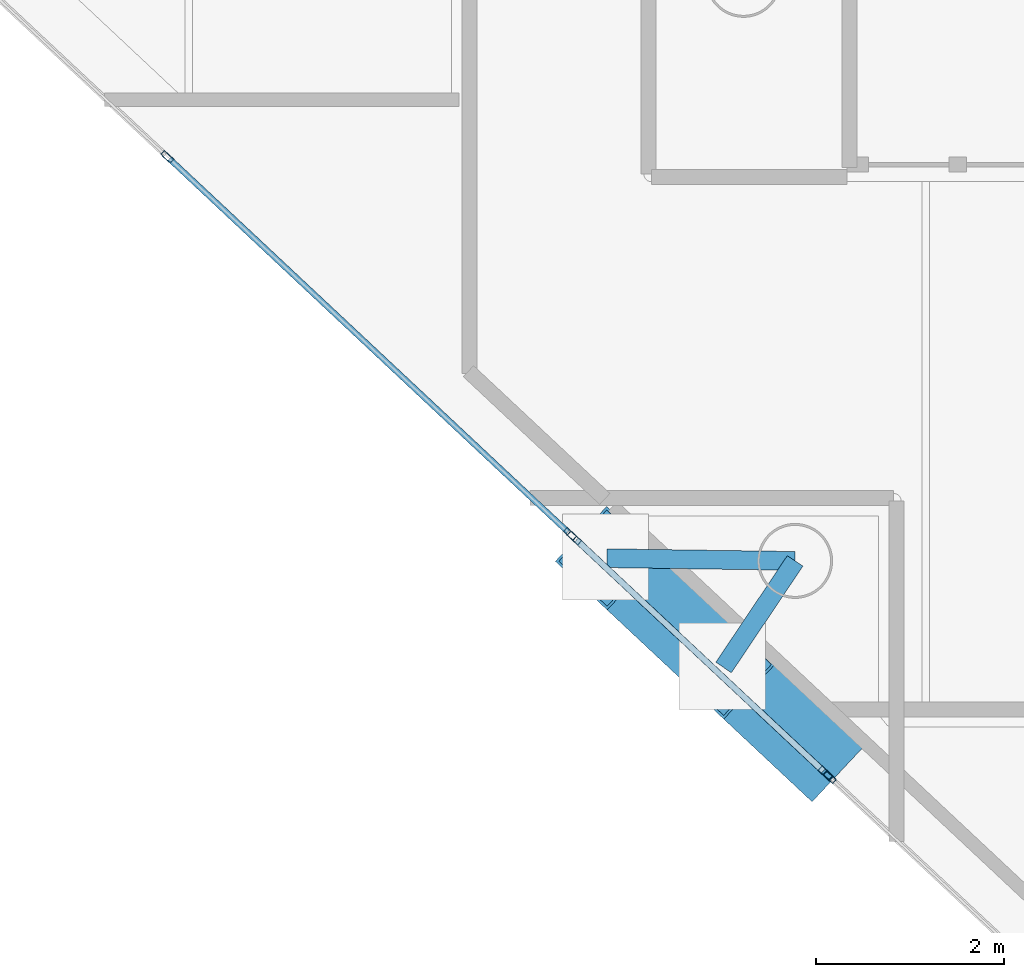
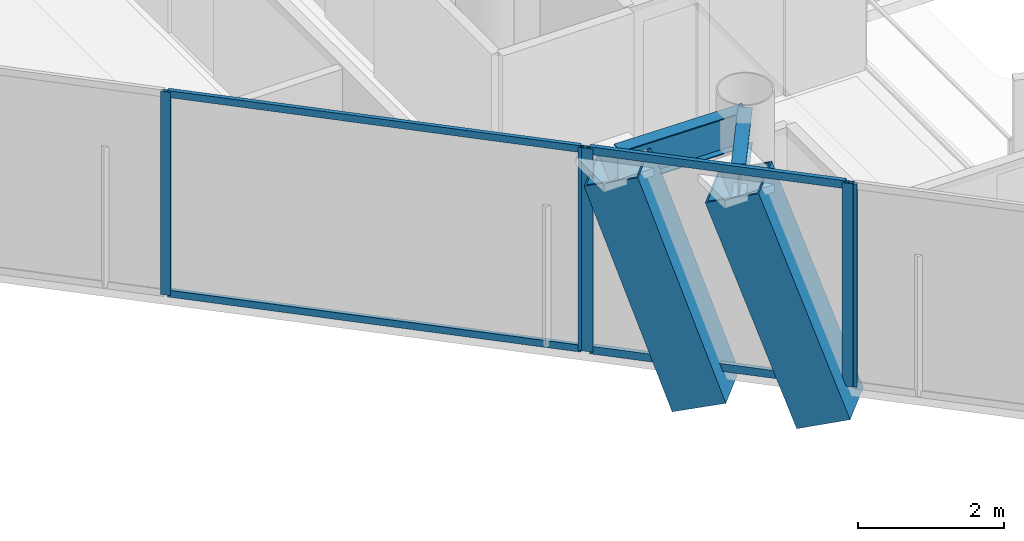
# One storey, part 3 of 18: 11 members, 2 beams, 3 elements without a shape of their own.
"""IFC4 building model written with IfcOpenShell, lengths in metres."""

from ifc_helpers import new_model, si_unit, direction, frame, origin, origin_2d, place, context, subcontext, project, spatial, hollow_rectangle, i_section, extrude, material, layer, layer_set, material_profile, profile_set, type_object, element, aggregate, save


model = new_model("IFC4")

# Units and contexts
model_context = context("Model", 3, precision=1e-05, world=origin(), true_north=direction((0.0, 1.0)))
body_context = subcontext(model_context, "Body", "Model", "MODEL_VIEW")
ifc_project = project(units=[si_unit("LENGTHUNIT", "METRE"), si_unit("AREAUNIT", "SQUARE_METRE"), si_unit("VOLUMEUNIT", "CUBIC_METRE"), si_unit("PLANEANGLEUNIT", "RADIAN"), si_unit("MASSUNIT", "GRAM", prefix="KILO")], contexts=[model_context])

# Site, building, storey
site_placement = place(None, origin())
site = spatial("IfcSite", under=ifc_project, at=site_placement, CompositionType="ELEMENT")
building_placement = place(site_placement, origin())
building = spatial("IfcBuilding", under=site, at=building_placement, Name="Qianvela Tower", CompositionType="ELEMENT")
storey_placement = place(building_placement, frame((0.0, 0.0, 348.10009765625)))
storey = spatial("IfcBuildingStorey", under=building, at=storey_placement, Name="L90", CompositionType="ELEMENT", Elevation=348.10009765625)

# Beams
ifc_material_1 = material(Name="Steel Q355B", Category="steel")
ifc_material_profile_1 = material_profile(ifc_material_1, i_section(OverallWidth=0.199951171875, OverallDepth=0.60009765625, WebThickness=0.010986328125, FlangeThickness=0.01708984375, at=origin_2d()), Name="HN600x200x11x17")
ifc_profile_set_1 = profile_set([ifc_material_profile_1], Name="Steel Q355B")
beam_type = type_object("IfcBeamType", Name="BM-HN600-GIRD", PredefinedType="BEAM", material=ifc_profile_set_1)
beam_1_placement = place(storey_placement, frame((29.14990234375, 17.662109375, 3.097900390625), z_axis=(-0.999896728514, 0.014371231908, 0.0), x_axis=(-0.014371231908, -0.999896728514, 0.0)))
element("IfcBeam", 1, at=beam_1_placement, inside=storey, type_object=beam_type, Name="L90 Mega-Brace Column Tie Bracket F2-1", PredefinedType="BEAM", context=body_context, shape_type="SweptSolid", body=[
    extrude(i_section(OverallWidth=0.199951171875, OverallDepth=0.60009765625, WebThickness=0.010986328125, FlangeThickness=0.01708984375, at=origin_2d()), origin(), (0.0, 0.0, 1.0), 2.004638671875),
])
beam_2_placement = place(storey_placement, frame((29.14990234375, 17.662109375, 3.097900390625), z_axis=(-0.557129868141, -0.830425378963, 0.0), x_axis=(0.830425378963, -0.557129868141, 0.0)))
element("IfcBeam", 2, at=beam_2_placement, inside=storey, type_object=beam_type, Name="L90 Mega-Brace Column Tie Bracket F2-2", PredefinedType="BEAM", context=body_context, shape_type="SweptSolid", body=[
    extrude(i_section(OverallWidth=0.199951171875, OverallDepth=0.60009765625, WebThickness=0.010986328125, FlangeThickness=0.01708984375, at=origin_2d()), origin(), (0.0, 0.0, 1.0), 1.36669921875),
])

# Curtain wall, members
ifc_material_2 = material(Name="Anodised Architectural Aluminium and Insulated Spandrel Panel", Category="aluminium")
ifc_layer_1 = layer(ifc_material_2, 0.179931640625)
ifc_layer_set_1 = layer_set([ifc_layer_1], Name="Anodised Architectural Aluminium and Insulated Spandrel Panel")
curtain_wall_type_1 = type_object("IfcCurtainWallType", Name="CW-BRACEBAY", PredefinedType="USERDEFINED", material=ifc_layer_set_1)
curtain_wall_1_placement = place(storey_placement, origin())
curtain_wall_1 = element("IfcCurtainWall", 3, at=curtain_wall_1_placement, inside=storey, type_object=curtain_wall_type_1, Name="L90 CW-BRACEBAY Curtain Wall 04B", ObjectType="CURTAIN_WALL_SYSTEM", PredefinedType="USERDEFINED")
ifc_material_3 = material(Name="Anodised Architectural Aluminium 6063-T6", Category="aluminium")
ifc_material_profile_2 = material_profile(ifc_material_3, hollow_rectangle(XDim=0.06494140625, YDim=0.159912109375, WallThickness=0.0048828125, at=origin_2d()), Name="ALU-MULL-65x160")
ifc_profile_set_2 = profile_set([ifc_material_profile_2], Name="Anodised Architectural Aluminium 6063-T6")
member_type_1 = type_object("IfcMemberType", Name="CW-BRACEBAY-MULL", PredefinedType="MULLION", material=ifc_profile_set_2)
member_1_placement = place(storey_placement, frame((26.798095703125, 17.90673828125, 0.0), z_axis=(0.0, 0.0, 1.0), x_axis=(0.683521865336, 0.729930037475, 0.0)))
member_1 = element("IfcMember", 4, at=member_1_placement, type_object=member_type_1, Name="CW-9 mullion 1", PredefinedType="MULLION", context=body_context, shape_type="SweptSolid", body=[
    extrude(hollow_rectangle(XDim=0.06494140625, YDim=0.159912109375, WallThickness=0.0048828125, at=origin_2d()), origin(), (0.0, 0.0, 1.0), 3.39990234375),
])
member_2_placement = place(storey_placement, frame((29.473388671875, 15.401611328125, 0.0), z_axis=(0.0, 0.0, 1.0), x_axis=(0.683521865336, 0.729930037475, 0.0)))
member_2 = element("IfcMember", 5, at=member_2_placement, type_object=member_type_1, Name="CW-9 mullion 2", PredefinedType="MULLION", context=body_context, shape_type="SweptSolid", body=[
    extrude(hollow_rectangle(XDim=0.06494140625, YDim=0.159912109375, WallThickness=0.0048828125, at=origin_2d()), origin(), (0.0, 0.0, 1.0), 3.39990234375),
])
ifc_material_4 = material(Name="Anodised Architectural Aluminium 6063-T6", Category="aluminium")
ifc_material_profile_3 = material_profile(ifc_material_4, hollow_rectangle(XDim=0.06494140625, YDim=0.1298828125, WallThickness=0.00439453125, at=origin_2d()), Name="ALU-TRAN-65x130")
ifc_profile_set_3 = profile_set([ifc_material_profile_3], Name="Anodised Architectural Aluminium 6063-T6")
member_type_2 = type_object("IfcMemberType", Name="CW-BRACEBAY-TRAN", PredefinedType="USERDEFINED", material=ifc_profile_set_3)
member_3_placement = place(storey_placement, frame((26.82177734375, 17.884521484375, 0.032470703125), z_axis=(0.729919885189, -0.683532706756, 0.0), x_axis=(0.683532706756, 0.729919885189, 0.0)))
member_3 = element("IfcMember", 6, at=member_3_placement, type_object=member_type_2, Name="CW-9 transom 1.1", ObjectType="TRANSOM", PredefinedType="USERDEFINED", context=body_context, shape_type="SweptSolid", body=[
    extrude(hollow_rectangle(XDim=0.06494140625, YDim=0.1298828125, WallThickness=0.00439453125, at=origin_2d()), origin(), (0.0, 0.0, 1.0), 3.599853515625),
])
member_4_placement = place(storey_placement, frame((26.82177734375, 17.884521484375, 3.367431640625), z_axis=(0.729919885189, -0.683532706756, 0.0), x_axis=(0.683532706756, 0.729919885189, 0.0)))
member_4 = element("IfcMember", 7, at=member_4_placement, type_object=member_type_2, Name="CW-9 transom 1.2", ObjectType="TRANSOM", PredefinedType="USERDEFINED", context=body_context, shape_type="SweptSolid", body=[
    extrude(hollow_rectangle(XDim=0.06494140625, YDim=0.1298828125, WallThickness=0.00439453125, at=origin_2d()), origin(), (0.0, 0.0, 1.0), 3.599853515625),
])
aggregate(curtain_wall_1, [member_1, member_2, member_3, member_4])

ifc_material_5 = material(Name="Anodised Architectural Aluminium and Low-E Glass", Category="aluminium")
ifc_layer_2 = layer(ifc_material_5, 0.14990234375)
ifc_layer_set_2 = layer_set([ifc_layer_2], Name="Anodised Architectural Aluminium and Low-E Glass")
curtain_wall_type_2 = type_object("IfcCurtainWallType", Name="CW-COLIV-Z78", PredefinedType="USERDEFINED", material=ifc_layer_set_2)
curtain_wall_2_placement = place(storey_placement, origin())
curtain_wall_2 = element("IfcCurtainWall", 8, at=curtain_wall_2_placement, inside=storey, type_object=curtain_wall_type_2, Name="L90 CW-COLIV-Z78 Curtain Wall 04A", ObjectType="CURTAIN_WALL_SYSTEM", PredefinedType="USERDEFINED")
ifc_material_6 = material(Name="Anodised Architectural Aluminium 6063-T6", Category="aluminium")
ifc_material_profile_4 = material_profile(ifc_material_6, hollow_rectangle(XDim=0.06005859375, YDim=0.139892578125, WallThickness=0.00439453125, at=origin_2d()), Name="ALU-MULL-60x140")
ifc_profile_set_4 = profile_set([ifc_material_profile_4], Name="Anodised Architectural Aluminium 6063-T6")
member_type_3 = type_object("IfcMemberType", Name="CW-COLIV-Z78-MULL", PredefinedType="MULLION", material=ifc_profile_set_4)
member_5_placement = place(storey_placement, frame((22.464111328125, 21.965087890625, 0.0), z_axis=(0.0, 0.0, 1.0), x_axis=(0.683529797455, 0.729922609591, 0.0)))
member_5 = element("IfcMember", 9, at=member_5_placement, type_object=member_type_3, Name="CW-6 mullion 2", PredefinedType="MULLION", context=body_context, shape_type="SweptSolid", body=[
    extrude(hollow_rectangle(XDim=0.06005859375, YDim=0.139892578125, WallThickness=0.00439453125, at=origin_2d()), origin(), (0.0, 0.0, 1.0), 3.39990234375),
])
member_6_placement = place(storey_placement, frame((26.75244140625, 17.949462890625, 0.0), z_axis=(0.0, 0.0, 1.0), x_axis=(0.683529797455, 0.729922609591, 0.0)))
member_6 = element("IfcMember", 10, at=member_6_placement, type_object=member_type_3, Name="CW-6 mullion 3", PredefinedType="MULLION", context=body_context, shape_type="SweptSolid", body=[
    extrude(hollow_rectangle(XDim=0.06005859375, YDim=0.139892578125, WallThickness=0.00439453125, at=origin_2d()), origin(), (0.0, 0.0, 1.0), 3.39990234375),
])

# Curtain wall, member
curtain_wall_3_placement = place(storey_placement, origin())
curtain_wall_3 = element("IfcCurtainWall", 11, at=curtain_wall_3_placement, inside=storey, type_object=curtain_wall_type_2, Name="L90 CW-COLIV-Z78 Curtain Wall 04C", ObjectType="CURTAIN_WALL_SYSTEM", PredefinedType="USERDEFINED")
member_7_placement = place(storey_placement, frame((29.518798828125, 15.35888671875, 0.0), z_axis=(0.0, 0.0, 1.0), x_axis=(0.683533081208, 0.729919534534, 0.0)))
member_7 = element("IfcMember", 12, at=member_7_placement, type_object=member_type_3, Name="CW-6 mullion 1", PredefinedType="MULLION", context=body_context, shape_type="SweptSolid", body=[
    extrude(hollow_rectangle(XDim=0.06005859375, YDim=0.139892578125, WallThickness=0.00439453125, at=origin_2d()), origin(), (0.0, 0.0, 1.0), 3.39990234375),
])
aggregate(curtain_wall_3, [member_7])

# Member
ifc_material_7 = material(Name="Anodised Architectural Aluminium 6063-T6", Category="aluminium")
ifc_material_profile_5 = material_profile(ifc_material_7, hollow_rectangle(XDim=0.06005859375, YDim=0.114990234375, WallThickness=0.00390625, at=origin_2d()), Name="ALU-TRAN-60x115")
ifc_profile_set_5 = profile_set([ifc_material_profile_5], Name="Anodised Architectural Aluminium 6063-T6")
member_type_4 = type_object("IfcMemberType", Name="CW-COLIV-Z78-TRAN", PredefinedType="USERDEFINED", material=ifc_profile_set_5)
member_8_placement = place(storey_placement, frame((22.486083984375, 21.944580078125, 0.02978515625), z_axis=(0.729942955184, -0.683508070309, 0.0), x_axis=(0.683508070309, 0.729942955184, 0.0)))
member_8 = element("IfcMember", 13, at=member_8_placement, type_object=member_type_4, Name="CW-6 transom 2.1", ObjectType="TRANSOM", PredefinedType="USERDEFINED", context=body_context, shape_type="SweptSolid", body=[
    extrude(hollow_rectangle(XDim=0.06005859375, YDim=0.114990234375, WallThickness=0.00390625, at=origin_2d()), origin(), (0.0, 0.0, 1.0), 5.81494140625),
])

member_9_placement = place(storey_placement, frame((22.486083984375, 21.944580078125, 3.369873046875), z_axis=(0.729942955184, -0.683508070309, 0.0), x_axis=(0.683508070309, 0.729942955184, 0.0)))
member_9 = element("IfcMember", 14, at=member_9_placement, type_object=member_type_4, Name="CW-6 transom 2.2", ObjectType="TRANSOM", PredefinedType="USERDEFINED", context=body_context, shape_type="SweptSolid", body=[
    extrude(hollow_rectangle(XDim=0.06005859375, YDim=0.114990234375, WallThickness=0.00390625, at=origin_2d()), origin(), (0.0, 0.0, 1.0), 5.81494140625),
])

aggregate(curtain_wall_2, [member_5, member_6, member_8, member_9])

# Members
ifc_material_8 = material(Name="Steel Q420GJC", Category="steel")
ifc_material_profile_6 = material_profile(ifc_material_8, hollow_rectangle(XDim=0.800048828125, YDim=0.800048828125, WallThickness=0.028076171875, at=origin_2d()), Name="MBOX-800x800x28")
ifc_profile_set_6 = profile_set([ifc_material_profile_6], Name="Steel Q420GJC")
member_type_5 = type_object("IfcMemberType", Name="MBR-MBRACE-800", PredefinedType="BRACE", material=ifc_profile_set_6)
member_10_placement = place(storey_placement, frame((28.05029296875, 16.84375, -0.482177734375), z_axis=(-0.238819481114, 0.22361133283, 0.944967315451), x_axis=(-0.68348235494, -0.729967033835, 0.0)))
element("IfcMember", 15, at=member_10_placement, inside=storey, type_object=member_type_5, Name="L90 Tier 15 Exterior Mega-Brace F2A", PredefinedType="BRACE", context=body_context, shape_type="SweptSolid", body=[
    extrude(hollow_rectangle(XDim=0.800048828125, YDim=0.800048828125, WallThickness=0.028076171875, at=origin_2d()), origin(), (0.0, 0.0, 1.0), 3.78857421875),
])
member_11_placement = place(storey_placement, frame((29.329345703125, 15.64599609375, -0.482177734375), z_axis=(-0.247279455779, 0.231559822498, 0.940868173207), x_axis=(-0.683525215864, -0.729926899955, 0.0)))
element("IfcMember", 16, at=member_11_placement, inside=storey, type_object=member_type_5, Name="L90 Tier 15 Exterior Mega-Brace F2B", PredefinedType="BRACE", context=body_context, shape_type="SweptSolid", body=[
    extrude(hollow_rectangle(XDim=0.800048828125, YDim=0.800048828125, WallThickness=0.028076171875, at=origin_2d()), origin(), (0.0, 0.0, 1.0), 3.80517578125),
])

save(model, "model.ifc")
